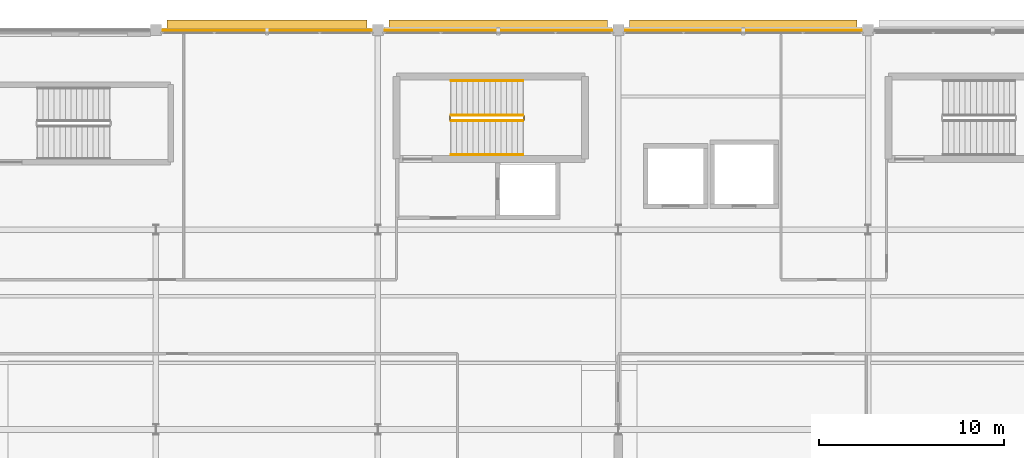
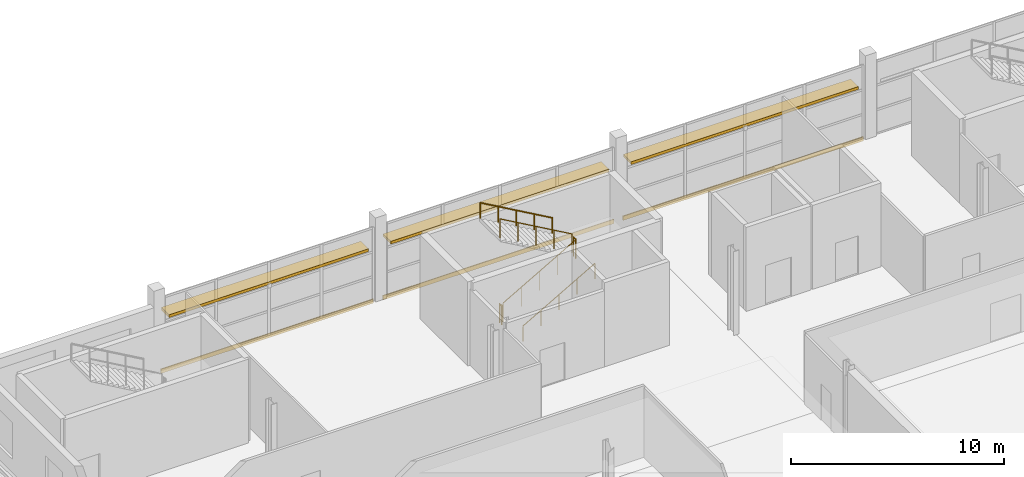
# One storey, part 133 of 134: 6 railings, 3 coverings, 3 shading devices.
"""IFC4 building model written with IfcOpenShell, lengths in metres."""

from ifc_helpers import new_model, si_unit, direction, frame, origin, origin_2d, place, context, subcontext, project, spatial, rectangle, circle, extrude, material, layer, layer_set, type_object, element, save


model = new_model("IFC4")

# Units and contexts
model_context = context("Model", 3, precision=1e-05, world=origin(), true_north=direction((0.0, 1.0)))
body_context = subcontext(model_context, "Body", "Model", "MODEL_VIEW")
ifc_project = project(units=[si_unit("LENGTHUNIT", "METRE"), si_unit("AREAUNIT", "SQUARE_METRE"), si_unit("VOLUMEUNIT", "CUBIC_METRE"), si_unit("PLANEANGLEUNIT", "RADIAN"), si_unit("MASSUNIT", "GRAM", prefix="KILO")], contexts=[model_context])

# Site, building, storey
site_placement = place(None, origin())
site = spatial("IfcSite", under=ifc_project, at=site_placement, CompositionType="ELEMENT")
building_placement = place(site_placement, origin())
building = spatial("IfcBuilding", under=site, at=building_placement, Name="Tamarisk Ironworks Central Station", CompositionType="ELEMENT")
storey_placement = place(building_placement, frame((0.0, 0.0, 12.60009765625)))
storey = spatial("IfcBuildingStorey", under=building, at=storey_placement, Name="L02", CompositionType="ELEMENT", Elevation=12.60009765625)

# Coverings
ifc_material_1 = material(Name="Clay facing brickwork and mortar", Category="masonry")
ifc_layer = layer(ifc_material_1, 0.050048828125)
ifc_layer_set = layer_set([ifc_layer], Name="Clay facing brickwork and mortar")
covering_type = type_object("IfcCoveringType", Name="COV-CLAD", PredefinedType="CLADDING", material=ifc_layer_set)
covering_1_placement = place(storey_placement, frame((134.0, 122.389892578125, -0.240234375), z_axis=(0.0, 0.0, 1.0), x_axis=(1.0, 0.0, 0.0)))
element("IfcCovering", 1, at=covering_1_placement, inside=storey, type_object=covering_type, Name="L02 terracotta slab-edge spandrel cladding 009", PredefinedType="CLADDING", context=body_context, shape_type="SweptSolid", body=[
    extrude(rectangle(XDim=11.5, YDim=0.050048828125, at=origin_2d()), origin(), (0.0, 0.0, 1.0), 0.239990234375),
])
covering_2_placement = place(storey_placement, frame((146.5, 122.389892578125, -0.240234375), z_axis=(0.0, 0.0, 1.0), x_axis=(1.0, 0.0, 0.0)))
element("IfcCovering", 2, at=covering_2_placement, inside=storey, type_object=covering_type, Name="L02 terracotta slab-edge spandrel cladding 010", PredefinedType="CLADDING", context=body_context, shape_type="SweptSolid", body=[
    extrude(rectangle(XDim=12.5, YDim=0.050048828125, at=origin_2d()), origin(), (0.0, 0.0, 1.0), 0.239990234375),
])
covering_3_placement = place(storey_placement, frame((159.75, 122.389892578125, -0.240234375), z_axis=(0.0, 0.0, 1.0), x_axis=(1.0, 0.0, 0.0)))
element("IfcCovering", 3, at=covering_3_placement, inside=storey, type_object=covering_type, Name="L02 terracotta slab-edge spandrel cladding 011", PredefinedType="CLADDING", context=body_context, shape_type="SweptSolid", body=[
    extrude(rectangle(XDim=13.0, YDim=0.050048828125, at=origin_2d()), origin(), (0.0, 0.0, 1.0), 0.239990234375),
])

# Railings
ifc_material_2 = material(Name="Brushed stainless steel AISI 316", Category="steel")
railing_type_1 = type_object("IfcRailingType", Name="RL-GUARD-INT", PredefinedType="BALUSTRADE", material=ifc_material_2)
railing_1_placement = place(storey_placement, frame((143.949951171875, 117.5, 0.17138671875)))
element("IfcRailing", 4, at=railing_1_placement, inside=storey, type_object=railing_type_1, Name="L02 ST-C1 stair guard 1", PredefinedType="BALUSTRADE", context=body_context, shape_type="SweptSolid", body=[
    extrude(circle(Radius=0.02392578125, at=origin_2d()), frame((0.0, 0.0, 1.076171875), z_axis=(0.868256520506, 0.0, 0.496115525457), x_axis=(0.0, 1.0, 0.0)), (0.0, 0.0, 1.0), 4.491943359375),
    extrude(circle(Radius=0.02099609375, at=origin_2d()), origin(), (0.0, 0.0, 1.0), 1.052001953125),
    extrude(circle(Radius=0.02099609375, at=origin_2d()), frame((0.97509765625, 0.0, 0.55712890625)), (0.0, 0.0, 1.0), 1.052001953125),
    extrude(circle(Radius=0.02099609375, at=origin_2d()), frame((1.9501953125, 0.0, 1.1142578125)), (0.0, 0.0, 1.0), 1.052001953125),
    extrude(circle(Radius=0.02099609375, at=origin_2d()), frame((2.925048828125, 0.0, 1.67138671875)), (0.0, 0.0, 1.0), 1.052001953125),
    extrude(circle(Radius=0.02099609375, at=origin_2d()), frame((3.900146484375, 0.0, 2.228515625)), (0.0, 0.0, 1.0), 1.052001953125),
])
railing_2_placement = place(storey_placement, frame((147.89990234375, 117.550048828125, 2.39990234375)))
element("IfcRailing", 5, at=railing_2_placement, inside=storey, type_object=railing_type_1, Name="L02 ST-C1 stair guard 2", PredefinedType="BALUSTRADE", context=body_context, shape_type="SweptSolid", body=[
    extrude(circle(Radius=0.02392578125, at=origin_2d()), frame((0.0, 0.0, 1.076171875), z_axis=(0.0, 1.0, 0.0), x_axis=(-1.0, 0.0, 0.0)), (0.0, 0.0, 1.0), 0.199951171875),
    extrude(circle(Radius=0.02099609375, at=origin_2d()), origin(), (0.0, 0.0, 1.0), 1.052001953125),
    extrude(circle(Radius=0.02099609375, at=origin_2d()), frame((0.0, 0.199951171875, 0.0)), (0.0, 0.0, 1.0), 1.052001953125),
])
railing_3_placement = place(storey_placement, frame((147.85009765625, 117.800048828125, 2.5712890625)))
element("IfcRailing", 6, at=railing_3_placement, inside=storey, type_object=railing_type_1, Name="L02 ST-C1 stair guard 3", PredefinedType="BALUSTRADE", context=body_context, shape_type="SweptSolid", body=[
    extrude(circle(Radius=0.02392578125, at=origin_2d()), frame((0.0, 0.0, 1.076171875), z_axis=(-0.868256520506, 0.0, 0.496115525457), x_axis=(0.0, -1.0, 0.0)), (0.0, 0.0, 1.0), 4.491943359375),
    extrude(circle(Radius=0.02099609375, at=origin_2d()), origin(), (0.0, 0.0, 1.0), 1.052001953125),
    extrude(circle(Radius=0.02099609375, at=origin_2d()), frame((-0.97509765625, 0.0, 0.55712890625)), (0.0, 0.0, 1.0), 1.052001953125),
    extrude(circle(Radius=0.02099609375, at=origin_2d()), frame((-1.9501953125, 0.0, 1.1142578125)), (0.0, 0.0, 1.0), 1.052001953125),
    extrude(circle(Radius=0.02099609375, at=origin_2d()), frame((-2.925048828125, 0.0, 1.67138671875)), (0.0, 0.0, 1.0), 1.052001953125),
    extrude(circle(Radius=0.02099609375, at=origin_2d()), frame((-3.900146484375, 0.0, 2.228515625)), (0.0, 0.0, 1.0), 1.052001953125),
])
railing_4_placement = place(storey_placement, frame((143.89990234375, 117.550048828125, 0.0)))
element("IfcRailing", 7, at=railing_4_placement, inside=storey, type_object=railing_type_1, Name="L02 ST-C1 stair guard 4", PredefinedType="BALUSTRADE", context=body_context, shape_type="SweptSolid", body=[
    extrude(circle(Radius=0.02392578125, at=origin_2d()), frame((0.0, 0.0, 1.076171875), z_axis=(0.0, 1.0, 0.0), x_axis=(-1.0, 0.0, 0.0)), (0.0, 0.0, 1.0), 0.199951171875),
    extrude(circle(Radius=0.02099609375, at=origin_2d()), origin(), (0.0, 0.0, 1.0), 1.052001953125),
    extrude(circle(Radius=0.02099609375, at=origin_2d()), frame((0.0, 0.199951171875, 0.0)), (0.0, 0.0, 1.0), 1.052001953125),
])
railing_type_2 = type_object("IfcRailingType", Name="RL-HAND", PredefinedType="HANDRAIL", material=ifc_material_2)
railing_5_placement = place(storey_placement, frame((143.949951171875, 115.64990234375, 0.17138671875)))
element("IfcRailing", 8, at=railing_5_placement, inside=storey, type_object=railing_type_2, Name="L02 ST-C1 stair handrail 1", PredefinedType="HANDRAIL", context=body_context, shape_type="SweptSolid", body=[
    extrude(circle(Radius=0.02392578125, at=origin_2d()), frame((0.0, 0.0, 0.8759765625), z_axis=(0.868256520506, 0.0, 0.496115525457), x_axis=(0.0, 1.0, 0.0)), (0.0, 0.0, 1.0), 4.491943359375),
    extrude(circle(Radius=0.02099609375, at=origin_2d()), origin(), (0.0, 0.0, 1.0), 0.851806640625),
    extrude(circle(Radius=0.02099609375, at=origin_2d()), frame((0.97509765625, 0.0, 0.55712890625)), (0.0, 0.0, 1.0), 0.851806640625),
    extrude(circle(Radius=0.02099609375, at=origin_2d()), frame((1.9501953125, 0.0, 1.1142578125)), (0.0, 0.0, 1.0), 0.851806640625),
    extrude(circle(Radius=0.02099609375, at=origin_2d()), frame((2.925048828125, 0.0, 1.67138671875)), (0.0, 0.0, 1.0), 0.851806640625),
    extrude(circle(Radius=0.02099609375, at=origin_2d()), frame((3.900146484375, 0.0, 2.228515625)), (0.0, 0.0, 1.0), 0.851806640625),
])
railing_6_placement = place(storey_placement, frame((147.85009765625, 119.64990234375, 2.5712890625)))
element("IfcRailing", 9, at=railing_6_placement, inside=storey, type_object=railing_type_2, Name="L02 ST-C1 stair handrail 2", PredefinedType="HANDRAIL", context=body_context, shape_type="SweptSolid", body=[
    extrude(circle(Radius=0.02392578125, at=origin_2d()), frame((0.0, 0.0, 0.8759765625), z_axis=(-0.868256520506, 0.0, 0.496115525457), x_axis=(0.0, -1.0, 0.0)), (0.0, 0.0, 1.0), 4.491943359375),
    extrude(circle(Radius=0.02099609375, at=origin_2d()), origin(), (0.0, 0.0, 1.0), 0.851806640625),
    extrude(circle(Radius=0.02099609375, at=origin_2d()), frame((-0.97509765625, 0.0, 0.55712890625)), (0.0, 0.0, 1.0), 0.851806640625),
    extrude(circle(Radius=0.02099609375, at=origin_2d()), frame((-1.9501953125, 0.0, 1.1142578125)), (0.0, 0.0, 1.0), 0.851806640625),
    extrude(circle(Radius=0.02099609375, at=origin_2d()), frame((-2.925048828125, 0.0, 1.67138671875)), (0.0, 0.0, 1.0), 0.851806640625),
    extrude(circle(Radius=0.02099609375, at=origin_2d()), frame((-3.900146484375, 0.0, 2.228515625)), (0.0, 0.0, 1.0), 0.851806640625),
])

# Shading devices
ifc_material_3 = material(Name="Anodized aluminium alloy 6063-T6", Category="aluminium")
shading_device_type = type_object("IfcShadingDeviceType", Name="SHD-LV02", PredefinedType="JALOUSIE", material=ifc_material_3)
shading_device_1_placement = place(storey_placement, frame((134.0, 122.580078125, 2.919921875), z_axis=(0.0, 0.0, 1.0), x_axis=(1.0, 0.0, 0.0)))
element("IfcShadingDevice", 10, at=shading_device_1_placement, inside=storey, type_object=shading_device_type, Name="L02 north horizontal solar jalousie canopy 004", PredefinedType="JALOUSIE", context=body_context, shape_type="SweptSolid", body=[
    extrude(rectangle(XDim=10.800048828125, YDim=0.719970703125, at=origin_2d()), origin(), (0.0, 0.0, 1.0), 0.159912109375),
])
shading_device_2_placement = place(storey_placement, frame((146.5, 122.580078125, 2.919921875), z_axis=(0.0, 0.0, 1.0), x_axis=(1.0, 0.0, 0.0)))
element("IfcShadingDevice", 11, at=shading_device_2_placement, inside=storey, type_object=shading_device_type, Name="L02 north horizontal solar jalousie canopy 005", PredefinedType="JALOUSIE", context=body_context, shape_type="SweptSolid", body=[
    extrude(rectangle(XDim=11.800048828125, YDim=0.719970703125, at=origin_2d()), origin(), (0.0, 0.0, 1.0), 0.159912109375),
])
shading_device_3_placement = place(storey_placement, frame((159.75, 122.580078125, 2.919921875), z_axis=(0.0, 0.0, 1.0), x_axis=(1.0, 0.0, 0.0)))
element("IfcShadingDevice", 12, at=shading_device_3_placement, inside=storey, type_object=shading_device_type, Name="L02 north horizontal solar jalousie canopy 006", PredefinedType="JALOUSIE", context=body_context, shape_type="SweptSolid", body=[
    extrude(rectangle(XDim=12.300048828125, YDim=0.719970703125, at=origin_2d()), origin(), (0.0, 0.0, 1.0), 0.159912109375),
])

save(model, "model.ifc")
